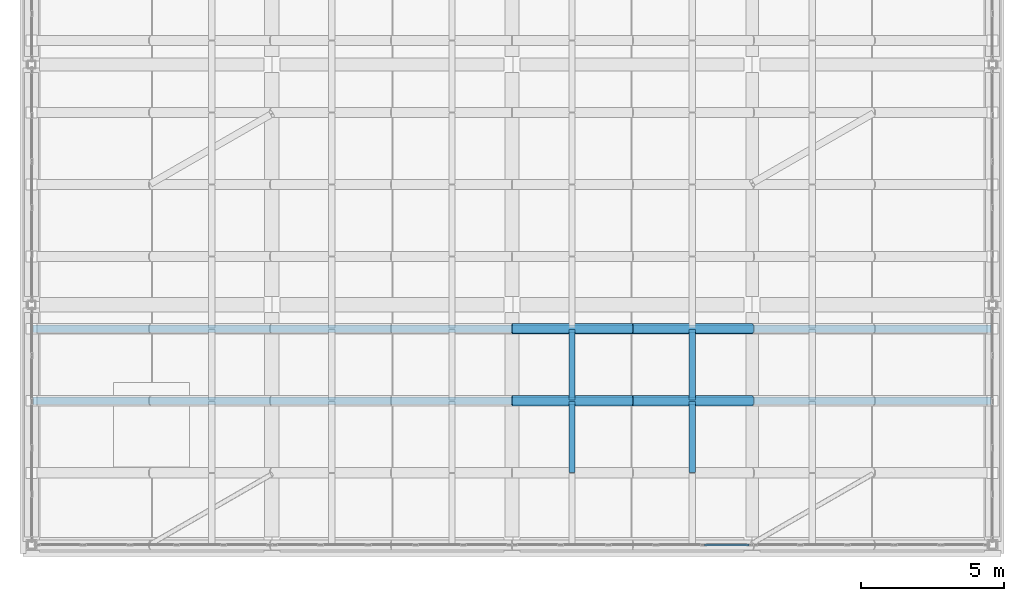
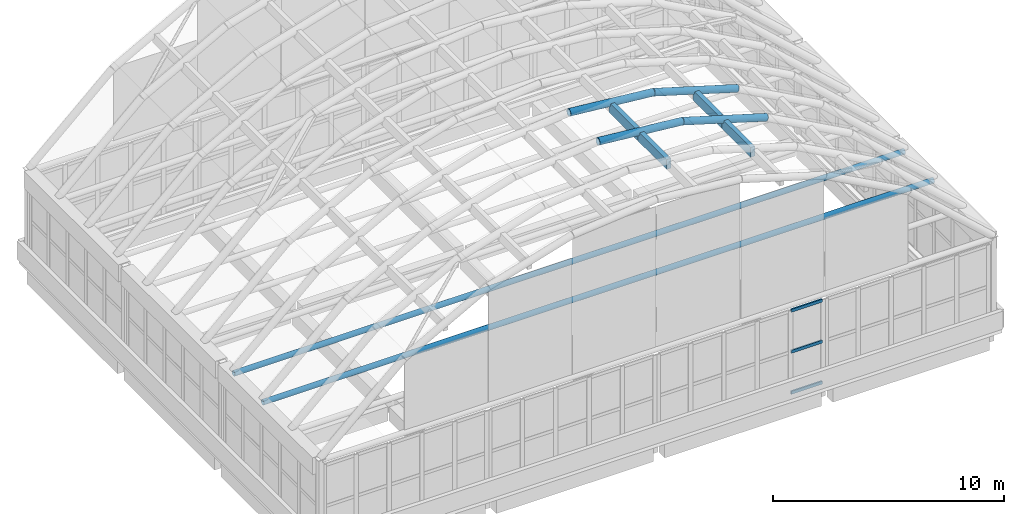
# One storey, part 10 of 26: 7 members, 6 beams, 1 element without a shape of its own.
"""IFC4 building model written with IfcOpenShell, lengths in metres."""

from ifc_helpers import new_model, si_unit, direction, frame, origin, origin_2d, place, context, subcontext, project, spatial, rectangle, hollow_rectangle, hollow_circle, extrude, material, layer, layer_set, material_profile, profile_set, type_object, element, aggregate, save


model = new_model("IFC4")

# Units and contexts
model_context = context("Model", 3, precision=1e-05, world=origin(), true_north=direction((0.0, 1.0)))
body_context = subcontext(model_context, "Body", "Model", "MODEL_VIEW")
ifc_project = project(units=[si_unit("LENGTHUNIT", "METRE"), si_unit("AREAUNIT", "SQUARE_METRE"), si_unit("VOLUMEUNIT", "CUBIC_METRE"), si_unit("PLANEANGLEUNIT", "RADIAN"), si_unit("MASSUNIT", "GRAM", prefix="KILO")], contexts=[model_context])

# Site, building, storey
site_placement = place(None, origin())
site = spatial("IfcSite", under=ifc_project, at=site_placement, CompositionType="ELEMENT")
building_placement = place(site_placement, origin())
building = spatial("IfcBuilding", under=site, at=building_placement, Name="Xazarin Passage Department Store", CompositionType="ELEMENT")
storey_placement = place(building_placement, frame((0.0, 0.0, 36.89990234375)))
storey = spatial("IfcBuildingStorey", under=building, at=storey_placement, Name="RF", CompositionType="ELEMENT", Elevation=36.89990234375)

# Curtain wall, members
ifc_material_1 = material(Name="Bronze anodised aluminium", Category="aluminium")
ifc_layer = layer(ifc_material_1, 0.199951171875)
ifc_layer_set = layer_set([ifc_layer], Name="Bronze anodised aluminium")
curtain_wall_type = type_object("IfcCurtainWallType", Name="ARC-CW-VIT2", PredefinedType="NOTDEFINED", material=ifc_layer_set)
curtain_wall_placement = place(storey_placement, origin())
curtain_wall = element("IfcCurtainWall", 1, at=curtain_wall_placement, inside=storey, type_object=curtain_wall_type, Name="RF V1 Atrium Lantern Curtain Wall 11", PredefinedType="NOTDEFINED")
ifc_material_profile_1 = material_profile(ifc_material_1, hollow_rectangle(XDim=0.074951171875, YDim=0.159912109375, WallThickness=0.00439453125, at=origin_2d()), Name="ALU 75x160")
ifc_profile_set_1 = profile_set([ifc_material_profile_1], Name="Bronze anodised aluminium")
member_type_1 = type_object("IfcMemberType", Name="ARC-CWT-75x160", PredefinedType="USERDEFINED", material=ifc_profile_set_1)
member_1_placement = place(storey_placement, frame((23.533447265625, 76.39990234375, 0.03759765625), z_axis=(1.0, 0.0, 0.0), x_axis=(0.0, 1.0, 0.0)))
member_1 = element("IfcMember", 2, at=member_1_placement, type_object=member_type_1, Name="CW2 transom 5.1", ObjectType="TRANSOM", PredefinedType="USERDEFINED", context=body_context, shape_type="SweptSolid", body=[
    extrude(hollow_rectangle(XDim=0.074951171875, YDim=0.159912109375, WallThickness=0.00439453125, at=origin_2d()), origin(), (0.0, 0.0, 1.0), 1.551513671875),
])
member_2_placement = place(storey_placement, frame((23.533447265625, 76.39990234375, 2.2021484375), z_axis=(1.0, 0.0, 0.0), x_axis=(0.0, 1.0, 0.0)))
member_2 = element("IfcMember", 3, at=member_2_placement, type_object=member_type_1, Name="CW2 transom 5.2", ObjectType="TRANSOM", PredefinedType="USERDEFINED", context=body_context, shape_type="SweptSolid", body=[
    extrude(hollow_rectangle(XDim=0.074951171875, YDim=0.159912109375, WallThickness=0.00439453125, at=origin_2d()), origin(), (0.0, 0.0, 1.0), 1.551513671875),
])
member_3_placement = place(storey_placement, frame((23.533447265625, 76.39990234375, 4.36669921875), z_axis=(1.0, 0.0, 0.0), x_axis=(0.0, 1.0, 0.0)))
member_3 = element("IfcMember", 4, at=member_3_placement, type_object=member_type_1, Name="CW2 transom 5.3", ObjectType="TRANSOM", PredefinedType="USERDEFINED", context=body_context, shape_type="SweptSolid", body=[
    extrude(hollow_rectangle(XDim=0.074951171875, YDim=0.159912109375, WallThickness=0.00439453125, at=origin_2d()), origin(), (0.0, 0.0, 1.0), 1.551513671875),
])
aggregate(curtain_wall, [member_1, member_2, member_3])

# Beams
ifc_material_2 = material(Name="Steel S355", Category="steel")
ifc_material_profile_2 = material_profile(ifc_material_2, hollow_circle(Radius=0.177734375, WallThickness=0.01611328125, at=origin_2d()), Name="CHS 355.6x16")
ifc_profile_set_2 = profile_set([ifc_material_profile_2], Name="Steel S355")
beam_type_1 = type_object("IfcBeamType", Name="STR-BM-AR355", PredefinedType="BEAM", material=ifc_profile_set_2)
beam_1_placement = place(storey_placement, frame((16.800048828125, 81.43994140625, 12.60009765625), z_axis=(0.995387696044, 0.0, -0.095934011512), x_axis=(0.0, 1.0, 0.0)))
element("IfcBeam", 5, at=beam_1_placement, inside=storey, type_object=beam_type_1, Name="V1V Primary Arch Rib 3.5", PredefinedType="BEAM", context=body_context, shape_type="SweptSolid", body=[
    extrude(hollow_circle(Radius=0.177734375, WallThickness=0.01611328125, at=origin_2d()), origin(), (0.0, 0.0, 1.0), 4.219482421875),
])
beam_2_placement = place(storey_placement, frame((21.0, 81.43994140625, 12.1953125), z_axis=(0.957702086096, 0.0, -0.287761558044), x_axis=(0.0, 1.0, 0.0)))
element("IfcBeam", 6, at=beam_2_placement, inside=storey, type_object=beam_type_1, Name="V1V Primary Arch Rib 3.6", PredefinedType="BEAM", context=body_context, shape_type="SweptSolid", body=[
    extrude(hollow_circle(Radius=0.177734375, WallThickness=0.01611328125, at=origin_2d()), origin(), (0.0, 0.0, 1.0), 4.385498046875),
])
beam_3_placement = place(storey_placement, frame((16.800048828125, 83.9599609375, 12.60009765625), z_axis=(0.995387696044, 0.0, -0.095934011512), x_axis=(0.0, 1.0, 0.0)))
element("IfcBeam", 7, at=beam_3_placement, inside=storey, type_object=beam_type_1, Name="V1V Primary Arch Rib 4.5", PredefinedType="BEAM", context=body_context, shape_type="SweptSolid", body=[
    extrude(hollow_circle(Radius=0.177734375, WallThickness=0.01611328125, at=origin_2d()), origin(), (0.0, 0.0, 1.0), 4.219482421875),
])
beam_4_placement = place(storey_placement, frame((21.0, 83.9599609375, 12.1953125), z_axis=(0.957702086096, 0.0, -0.287761558044), x_axis=(0.0, 1.0, 0.0)))
element("IfcBeam", 8, at=beam_4_placement, inside=storey, type_object=beam_type_1, Name="V1V Primary Arch Rib 4.6", PredefinedType="BEAM", context=body_context, shape_type="SweptSolid", body=[
    extrude(hollow_circle(Radius=0.177734375, WallThickness=0.01611328125, at=origin_2d()), origin(), (0.0, 0.0, 1.0), 4.385498046875),
])
ifc_material_profile_3 = material_profile(ifc_material_2, hollow_circle(Radius=0.136474609375, WallThickness=0.012451171875, at=origin_2d()), Name="CHS 273x12.5")
ifc_profile_set_3 = profile_set([ifc_material_profile_3], Name="Steel S355")
beam_type_2 = type_object("IfcBeamType", Name="STR-BM-TIE273", PredefinedType="BEAM", material=ifc_profile_set_3)
for number, where, z_axis, x_axis, name in (
    (9, (0.050048828125, 81.43994140625, 4.684326171875), (1.0, 0.0, 0.0), (0.0, 1.0, 0.0), "V1V Arch Tie Beam 3"),
    (10, (0.050048828125, 83.9599609375, 4.684326171875), (1.0, 0.0, 0.0), (0.0, 1.0, 0.0), "V1V Arch Tie Beam 4"),
):
    element("IfcBeam", number, at=place(storey_placement, frame(where, z_axis=z_axis, x_axis=x_axis)), inside=storey, type_object=beam_type_2, Name=name, PredefinedType="BEAM", context=body_context, shape_type="SweptSolid", body=[
        extrude(hollow_circle(Radius=0.136474609375, WallThickness=0.012451171875, at=origin_2d()), origin(), (0.0, 0.0, 1.0), 33.5),
    ])

# Members
ifc_material_3 = material(Name="Glulam GL28h", Category="wood")
ifc_material_profile_4 = material_profile(ifc_material_3, rectangle(XDim=0.219970703125, YDim=0.52001953125, at=origin_2d()), Name="GL28h 220x520")
ifc_profile_set_4 = profile_set([ifc_material_profile_4], Name="Glulam GL28h")
member_type_2 = type_object("IfcMemberType", Name="STR-MEM-GL520", PredefinedType="PURLIN", material=ifc_profile_set_4)
for number, where, z_axis, x_axis, name in (
    (11, (18.89990234375, 78.93994140625, 12.195556640625), (0.0, 1.0, 0.0), (-1.0, 0.0, 0.0), "V1V Glulam Gridshell Purlin 2.5"),
    (12, (23.10009765625, 78.93994140625, 11.3623046875), (0.0, 1.0, 0.0), (-1.0, 0.0, 0.0), "V1V Glulam Gridshell Purlin 2.6"),
    (13, (18.89990234375, 81.4599609375, 12.195556640625), (0.0, 1.0, 0.0), (-1.0, 0.0, 0.0), "V1V Glulam Gridshell Purlin 3.5"),
    (14, (23.10009765625, 81.4599609375, 11.3623046875), (0.0, 1.0, 0.0), (-1.0, 0.0, 0.0), "V1V Glulam Gridshell Purlin 3.6"),
):
    element("IfcMember", number, at=place(storey_placement, frame(where, z_axis=z_axis, x_axis=x_axis)), inside=storey, type_object=member_type_2, Name=name, PredefinedType="PURLIN", context=body_context, shape_type="SweptSolid", body=[
        extrude(rectangle(XDim=0.219970703125, YDim=0.52001953125, at=origin_2d()), origin(), (0.0, 0.0, 1.0), 2.47998046875),
    ])

save(model, "model.ifc")
